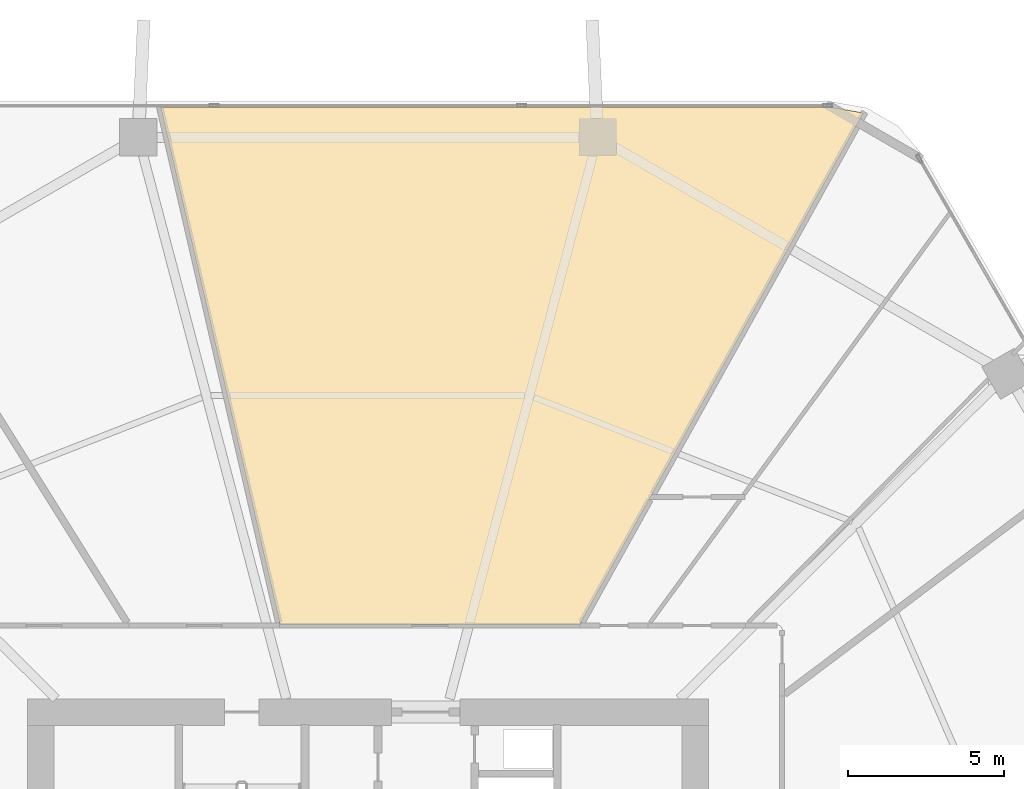
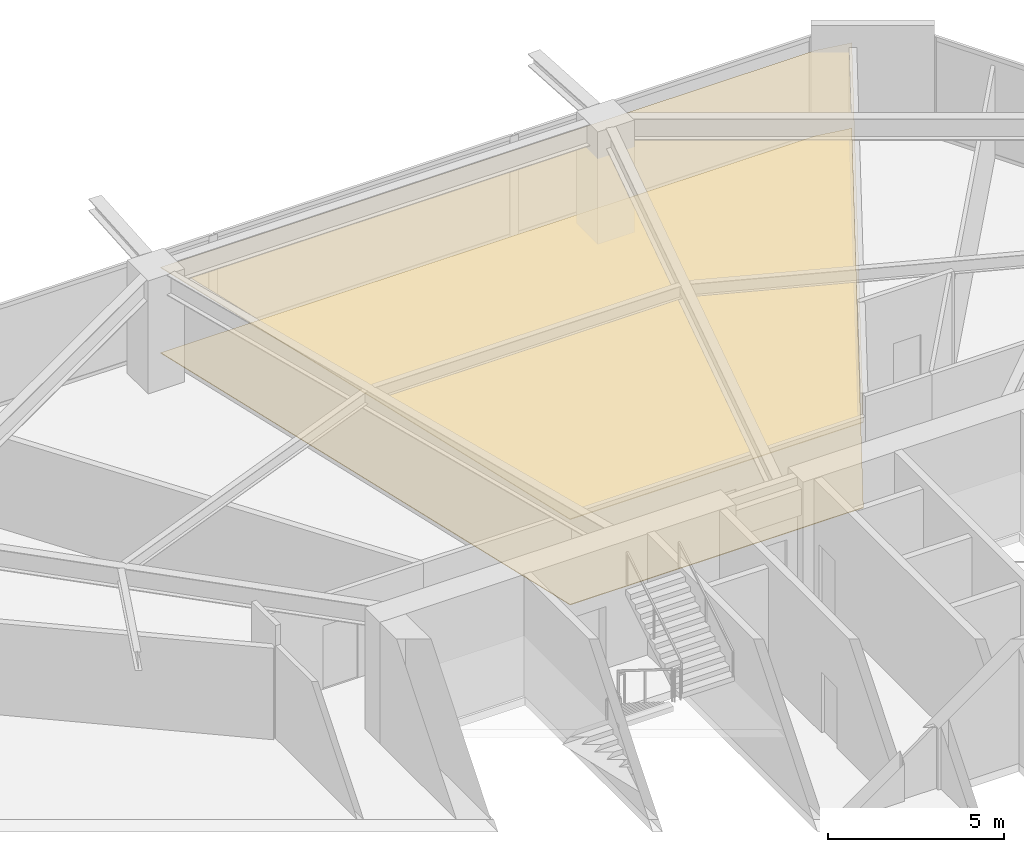
# One storey, part 26 of 26: 2 coverings.
"""IFC4 building model written with IfcOpenShell, lengths in metres."""

from ifc_helpers import new_model, si_unit, direction, frame, origin, place, context, subcontext, project, spatial, polyline, outline, extrude, material, layer, layer_set, type_object, element, save


model = new_model("IFC4")

# Units and contexts
model_context = context("Model", 3, precision=1e-05, world=origin(), true_north=direction((0.0, 1.0)))
body_context = subcontext(model_context, "Body", "Model", "MODEL_VIEW")
ifc_project = project(units=[si_unit("LENGTHUNIT", "METRE"), si_unit("AREAUNIT", "SQUARE_METRE"), si_unit("VOLUMEUNIT", "CUBIC_METRE"), si_unit("PLANEANGLEUNIT", "RADIAN"), si_unit("MASSUNIT", "GRAM", prefix="KILO")], contexts=[model_context])

# Site, building, storey
site_placement = place(None, origin())
site = spatial("IfcSite", under=ifc_project, at=site_placement, CompositionType="ELEMENT")
building_placement = place(site_placement, origin())
building = spatial("IfcBuilding", under=site, at=building_placement, Name="Zuhravey Tower", CompositionType="ELEMENT")
storey_placement = place(building_placement, frame((0.0, 0.0, 28.800048828125)))
storey = spatial("IfcBuildingStorey", under=building, at=storey_placement, Name="L07", CompositionType="ELEMENT", Elevation=28.800048828125)

# Coverings
ifc_material_1 = material(Name="Mineral-fibre acoustic ceiling tile")
ifc_layer_1 = layer(ifc_material_1, 0.02490234375)
ifc_layer_set_1 = layer_set([ifc_layer_1], Name="Mineral-fibre acoustic ceiling tile")
covering_type_1 = type_object("IfcCoveringType", Name="Acoustic Suspended Ceiling", PredefinedType="CEILING", material=ifc_layer_set_1)
covering_1_placement = place(storey_placement, frame((0.0, 0.0, 2.9599609375)))
element("IfcCovering", 1, at=covering_1_placement, inside=storey, type_object=covering_type_1, Name="L07 Acoustic Suspended Ceiling CLG1", PredefinedType="CEILING", context=body_context, shape_type="SweptSolid", body=[
    extrude(outline(polyline([(51.9013671875, 60.72802734375), (42.7978515625, 44.304931640625), (33.1796875, 44.304931640625), (29.34423828125, 60.91845703125), (50.8212890625, 60.91845703125), (51.9013671875, 60.72802734375)])), origin(), (0.0, 0.0, 1.0), 0.02490234375),
])
ifc_material_2 = material(Name="Engineered oak acoustic flooring")
ifc_layer_2 = layer(ifc_material_2, 0.02197265625)
ifc_layer_set_2 = layer_set([ifc_layer_2], Name="Engineered oak acoustic flooring")
covering_type_2 = type_object("IfcCoveringType", Name="School Resilient Timber Flooring", PredefinedType="FLOORING", material=ifc_layer_set_2)
covering_2_placement = place(storey_placement, origin())
element("IfcCovering", 2, at=covering_2_placement, inside=storey, type_object=covering_type_2, Name="L07 Principal Room Acoustic Flooring", PredefinedType="FLOORING", context=body_context, shape_type="SweptSolid", body=[
    extrude(outline(polyline([(51.9013671875, 60.72802734375), (42.7978515625, 44.304931640625), (33.1796875, 44.304931640625), (29.34423828125, 60.91845703125), (50.8212890625, 60.91845703125), (51.9013671875, 60.72802734375)])), origin(), (0.0, 0.0, 1.0), 0.02197265625),
])

save(model, "model.ifc")
